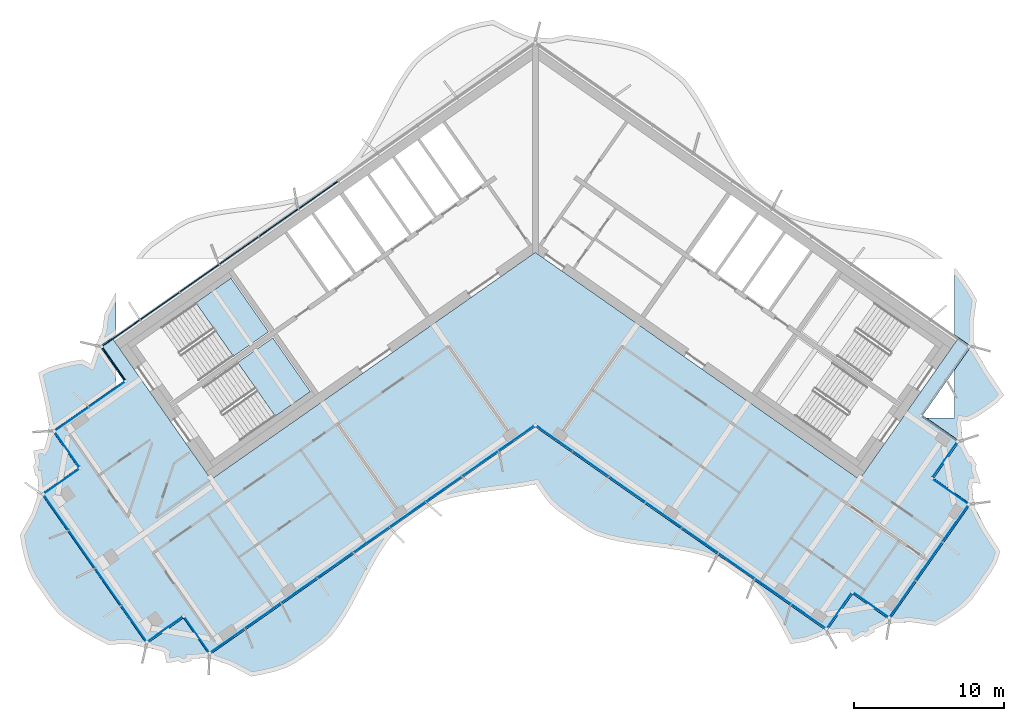
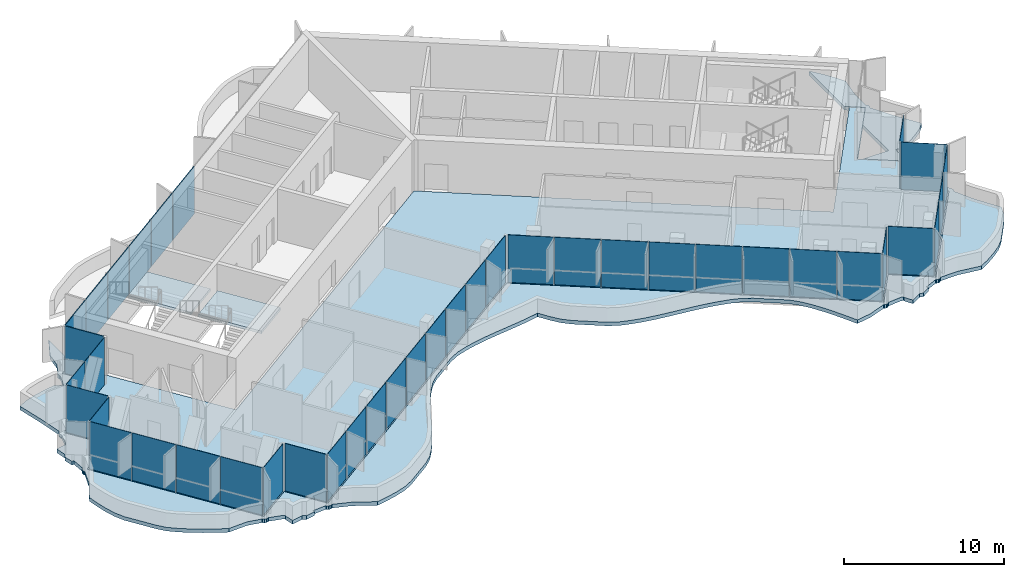
# One storey, part 7 of 17: 41 plates, 4 slabs, 4 elements without a shape of their own.
"""IFC4 building model written with IfcOpenShell, lengths in metres."""

from ifc_helpers import new_model, si_unit, direction, frame, origin, origin_2d, place, context, subcontext, project, spatial, polyline, rectangle, outline, extrude, material, layer, layer_set, type_object, element, aggregate, save


model = new_model("IFC4")

# Units and contexts
model_context = context("Model", 3, precision=1e-05, world=origin(), true_north=direction((0.0, 1.0)))
body_context = subcontext(model_context, "Body", "Model", "MODEL_VIEW")
ifc_project = project(units=[si_unit("LENGTHUNIT", "METRE"), si_unit("AREAUNIT", "SQUARE_METRE"), si_unit("VOLUMEUNIT", "CUBIC_METRE"), si_unit("PLANEANGLEUNIT", "RADIAN"), si_unit("MASSUNIT", "GRAM", prefix="KILO")], contexts=[model_context])

# Site, building, storey
site_placement = place(None, origin())
site = spatial("IfcSite", under=ifc_project, at=site_placement, CompositionType="ELEMENT")
building_placement = place(site_placement, origin())
building = spatial("IfcBuilding", under=site, at=building_placement, Name="Tel Ilan Convention Tower", CompositionType="ELEMENT")
storey_placement = place(building_placement, frame((0.0, 0.0, 291.699951171875)))
storey = spatial("IfcBuildingStorey", under=building, at=storey_placement, Name="L69", CompositionType="ELEMENT", Elevation=291.699951171875)

# Curtain wall, plates
ifc_material_1 = material(Name="Aluminium, bronze anodised", Category="aluminium")
curtain_wall_type_1 = type_object("IfcCurtainWallType", Name="CW2 STICK CURTAIN WALL, SPANDREL PANELS", PredefinedType="NOTDEFINED", material=ifc_material_1)
curtain_wall_1_placement = place(storey_placement, origin())
curtain_wall_1 = element("IfcCurtainWall", 1, at=curtain_wall_1_placement, inside=storey, type_object=curtain_wall_type_1, Name="Curtain wall CW2-52.01", PredefinedType="NOTDEFINED")
ifc_material_2 = material(Name="Aluminium composite panel, bronze anodised", Category="aluminium")
ifc_layer_1 = layer(ifc_material_2, 0.06005859375)
ifc_layer_set_1 = layer_set([ifc_layer_1], Name="CW SPANDREL PANEL 60")
plate_type_1 = type_object("IfcPlateType", Name="CW SPANDREL PANEL 60", PredefinedType="CURTAIN_PANEL", material=ifc_layer_set_1)
plate_1_placement = place(storey_placement, frame((-14.422119140625, 2.59765625, 0.0), z_axis=(0.0, 0.0, 1.0), x_axis=(-0.819152044289, -0.573576436351, 0.0)))
plate_1 = element("IfcPlate", 2, at=plate_1_placement, type_object=plate_type_1, Name="Spandrel panel", PredefinedType="CURTAIN_PANEL", context=body_context, shape_type="SweptSolid", body=[
    extrude(rectangle(XDim=3.15380859375, YDim=0.06005859375, at=origin_2d()), origin(), (0.0, 0.0, 1.0), 3.6201171875),
])
plate_2_placement = place(storey_placement, frame((-17.0546875, 0.754150390625, 0.0), z_axis=(0.0, 0.0, 1.0), x_axis=(-0.819152044289, -0.573576436351, 0.0)))
plate_2 = element("IfcPlate", 3, at=plate_2_placement, type_object=plate_type_1, Name="Spandrel panel", PredefinedType="CURTAIN_PANEL", context=body_context, shape_type="SweptSolid", body=[
    extrude(rectangle(XDim=3.15380859375, YDim=0.06005859375, at=origin_2d()), origin(), (0.0, 0.0, 1.0), 3.6201171875),
])
plate_3_placement = place(storey_placement, frame((-19.687255859375, -1.089111328125, 0.0), z_axis=(0.0, 0.0, 1.0), x_axis=(-0.819152044289, -0.573576436351, 0.0)))
plate_3 = element("IfcPlate", 4, at=plate_3_placement, type_object=plate_type_1, Name="Spandrel panel", PredefinedType="CURTAIN_PANEL", context=body_context, shape_type="SweptSolid", body=[
    extrude(rectangle(XDim=3.15380859375, YDim=0.06005859375, at=origin_2d()), origin(), (0.0, 0.0, 1.0), 3.6201171875),
])
plate_4_placement = place(storey_placement, frame((-22.31982421875, -2.9326171875, 0.0), z_axis=(0.0, 0.0, 1.0), x_axis=(-0.819152044289, -0.573576436351, 0.0)))
plate_4 = element("IfcPlate", 5, at=plate_4_placement, type_object=plate_type_1, Name="Spandrel panel", PredefinedType="CURTAIN_PANEL", context=body_context, shape_type="SweptSolid", body=[
    extrude(rectangle(XDim=3.15380859375, YDim=0.06005859375, at=origin_2d()), origin(), (0.0, 0.0, 1.0), 3.6201171875),
])
plate_5_placement = place(storey_placement, frame((-24.95263671875, -4.77587890625, 0.0), z_axis=(0.0, 0.0, 1.0), x_axis=(-0.819152044289, -0.573576436351, 0.0)))
plate_5 = element("IfcPlate", 6, at=plate_5_placement, type_object=plate_type_1, Name="Spandrel panel", PredefinedType="CURTAIN_PANEL", context=body_context, shape_type="SweptSolid", body=[
    extrude(rectangle(XDim=3.15380859375, YDim=0.06005859375, at=origin_2d()), origin(), (0.0, 0.0, 1.0), 3.6201171875),
])
plate_6_placement = place(storey_placement, frame((-27.5400390625, -6.587646484375, 0.0), z_axis=(0.0, 0.0, 1.0), x_axis=(-0.819152044289, -0.573576436351, 0.0)))
plate_6 = element("IfcPlate", 7, at=plate_6_placement, type_object=plate_type_1, Name="Spandrel panel", PredefinedType="CURTAIN_PANEL", context=body_context, shape_type="SweptSolid", body=[
    extrude(rectangle(XDim=3.0439453125, YDim=0.06005859375, at=origin_2d()), origin(), (0.0, 0.0, 1.0), 3.6201171875),
])
plate_7_placement = place(storey_placement, frame((-28.033935546875, -8.60546875, 0.0), z_axis=(0.0, 0.0, 1.0), x_axis=(0.573576436351, -0.819152044289, 0.0)))
plate_7 = element("IfcPlate", 8, at=plate_7_placement, type_object=plate_type_1, Name="Spandrel panel", PredefinedType="CURTAIN_PANEL", context=body_context, shape_type="SweptSolid", body=[
    extrude(rectangle(XDim=2.658935546875, YDim=0.06005859375, at=origin_2d()), origin(), (0.0, 0.0, 1.0), 3.6201171875),
])
aggregate(curtain_wall_1, [plate_1, plate_2, plate_3, plate_4, plate_5, plate_6, plate_7])

ifc_material_3 = material(Name="Aluminium, bronze anodised", Category="aluminium")
curtain_wall_type_2 = type_object("IfcCurtainWallType", Name="CW5 STICK CURTAIN WALL, UPPER OFFICE LOW-IRON TINTED GLASS", PredefinedType="NOTDEFINED", material=ifc_material_3)
curtain_wall_2_placement = place(storey_placement, origin())
curtain_wall_2 = element("IfcCurtainWall", 9, at=curtain_wall_2_placement, inside=storey, type_object=curtain_wall_type_2, Name="Curtain wall CW5-52.02", PredefinedType="NOTDEFINED")
ifc_material_4 = material(Name="Glass, low-iron bronze tinted, two-ply", Category="glass")
ifc_layer_2 = layer(ifc_material_4, 0.031982421875)
ifc_layer_set_2 = layer_set([ifc_layer_2], Name="CW UPPER GLASS PANEL 32")
plate_type_2 = type_object("IfcPlateType", Name="CW UPPER GLASS PANEL 32", PredefinedType="CURTAIN_PANEL", material=ifc_layer_set_2)
plate_8_placement = place(storey_placement, frame((-28.471435546875, -10.657958984375, 0.0), z_axis=(0.0, 0.0, 1.0), x_axis=(-0.819152044289, -0.573576436351, 0.0)))
plate_8 = element("IfcPlate", 10, at=plate_8_placement, type_object=plate_type_2, Name="Glass panel", PredefinedType="CURTAIN_PANEL", context=body_context, shape_type="SweptSolid", body=[
    extrude(rectangle(XDim=2.868896484375, YDim=0.028076171875, at=origin_2d()), origin(), (0.0, 0.0, 1.0), 3.6201171875),
])
plate_9_placement = place(storey_placement, frame((-30.8203125, -12.302734375, 0.0), z_axis=(0.0, 0.0, 1.0), x_axis=(-0.819152044289, -0.573576436351, 0.0)))
plate_9 = element("IfcPlate", 11, at=plate_9_placement, type_object=plate_type_2, Name="Glass panel", PredefinedType="CURTAIN_PANEL", context=body_context, shape_type="SweptSolid", body=[
    extrude(rectangle(XDim=2.74609375, YDim=0.028076171875, at=origin_2d()), origin(), (0.0, 0.0, 1.0), 3.6201171875),
])
plate_10_placement = place(storey_placement, frame((-31.126220703125, -14.30126953125, 0.0), z_axis=(0.0, 0.0, 1.0), x_axis=(0.573576436351, -0.819152044289, 0.0)))
plate_10 = element("IfcPlate", 12, at=plate_10_placement, type_object=plate_type_2, Name="Glass panel", PredefinedType="CURTAIN_PANEL", context=body_context, shape_type="SweptSolid", body=[
    extrude(rectangle(XDim=2.875, YDim=0.028076171875, at=origin_2d()), origin(), (0.0, 0.0, 1.0), 3.6201171875),
])
plate_11_placement = place(storey_placement, frame((-31.504150390625, -16.44384765625, 0.0), z_axis=(0.0, 0.0, 1.0), x_axis=(-0.819152044289, -0.573576436351, 0.0)))
plate_11 = element("IfcPlate", 13, at=plate_11_placement, type_object=plate_type_2, Name="Glass panel", PredefinedType="CURTAIN_PANEL", context=body_context, shape_type="SweptSolid", body=[
    extrude(rectangle(XDim=2.875, YDim=0.028076171875, at=origin_2d()), origin(), (0.0, 0.0, 1.0), 3.6201171875),
])
plate_12_placement = place(storey_placement, frame((-31.85693359375, -18.488037109375, 0.0), z_axis=(0.0, 0.0, 1.0), x_axis=(0.573576436351, -0.819152044289, 0.0)))
plate_12 = element("IfcPlate", 14, at=plate_12_placement, type_object=plate_type_2, Name="Glass panel", PredefinedType="CURTAIN_PANEL", context=body_context, shape_type="SweptSolid", body=[
    extrude(rectangle(XDim=2.89599609375, YDim=0.028076171875, at=origin_2d()), origin(), (0.0, 0.0, 1.0), 3.6201171875),
])
plate_13_placement = place(storey_placement, frame((-30.134521484375, -20.94775390625, 0.0), z_axis=(0.0, 0.0, 1.0), x_axis=(0.573576436351, -0.819152044289, 0.0)))
plate_13 = element("IfcPlate", 15, at=plate_13_placement, type_object=plate_type_2, Name="Glass panel", PredefinedType="CURTAIN_PANEL", context=body_context, shape_type="SweptSolid", body=[
    extrude(rectangle(XDim=2.989990234375, YDim=0.028076171875, at=origin_2d()), origin(), (0.0, 0.0, 1.0), 3.6201171875),
])
plate_14_placement = place(storey_placement, frame((-28.38525390625, -23.4462890625, 0.0), z_axis=(0.0, 0.0, 1.0), x_axis=(0.573576436351, -0.819152044289, 0.0)))
plate_14 = element("IfcPlate", 16, at=plate_14_placement, type_object=plate_type_2, Name="Glass panel", PredefinedType="CURTAIN_PANEL", context=body_context, shape_type="SweptSolid", body=[
    extrude(rectangle(XDim=2.989990234375, YDim=0.028076171875, at=origin_2d()), origin(), (0.0, 0.0, 1.0), 3.6201171875),
])
plate_15_placement = place(storey_placement, frame((-26.66259765625, -25.90625, 0.0), z_axis=(0.0, 0.0, 1.0), x_axis=(0.573576436351, -0.819152044289, 0.0)))
plate_15 = element("IfcPlate", 17, at=plate_15_placement, type_object=plate_type_2, Name="Glass panel", PredefinedType="CURTAIN_PANEL", context=body_context, shape_type="SweptSolid", body=[
    extrude(rectangle(XDim=2.89599609375, YDim=0.028076171875, at=origin_2d()), origin(), (0.0, 0.0, 1.0), 3.6201171875),
])
plate_16_placement = place(storey_placement, frame((-24.621337890625, -26.273681640625, 0.0), z_axis=(0.0, 0.0, 1.0), x_axis=(0.819152044289, 0.573576436351, 0.0)))
plate_16 = element("IfcPlate", 18, at=plate_16_placement, type_object=plate_type_2, Name="Glass panel", PredefinedType="CURTAIN_PANEL", context=body_context, shape_type="SweptSolid", body=[
    extrude(rectangle(XDim=2.875, YDim=0.028076171875, at=origin_2d()), origin(), (0.0, 0.0, 1.0), 3.6201171875),
])
plate_17_placement = place(storey_placement, frame((-22.478515625, -26.651611328125, 0.0), z_axis=(0.0, 0.0, 1.0), x_axis=(0.573576436351, -0.819152044289, 0.0)))
plate_17 = element("IfcPlate", 19, at=plate_17_placement, type_object=plate_type_2, Name="Glass panel", PredefinedType="CURTAIN_PANEL", context=body_context, shape_type="SweptSolid", body=[
    extrude(rectangle(XDim=2.875, YDim=0.028076171875, at=origin_2d()), origin(), (0.0, 0.0, 1.0), 3.6201171875),
])
plate_18_placement = place(storey_placement, frame((-20.47998046875, -27.036376953125, 0.0), z_axis=(0.0, 0.0, 1.0), x_axis=(0.819152044289, 0.573576436351, 0.0)))
plate_18 = element("IfcPlate", 20, at=plate_18_placement, type_object=plate_type_2, Name="Glass panel", PredefinedType="CURTAIN_PANEL", context=body_context, shape_type="SweptSolid", body=[
    extrude(rectangle(XDim=2.78466796875, YDim=0.028076171875, at=origin_2d()), origin(), (0.0, 0.0, 1.0), 3.6201171875),
])
plate_19_placement = place(storey_placement, frame((-18.111328125, -25.377685546875, 0.0), z_axis=(0.0, 0.0, 1.0), x_axis=(0.819152044289, 0.573576436351, 0.0)))
plate_19 = element("IfcPlate", 21, at=plate_19_placement, type_object=plate_type_2, Name="Glass panel", PredefinedType="CURTAIN_PANEL", context=body_context, shape_type="SweptSolid", body=[
    extrude(rectangle(XDim=2.878662109375, YDim=0.028076171875, at=origin_2d()), origin(), (0.0, 0.0, 1.0), 3.6201171875),
])
plate_20_placement = place(storey_placement, frame((-15.7041015625, -23.692138671875, 0.0), z_axis=(0.0, 0.0, 1.0), x_axis=(0.819152044289, 0.573576436351, 0.0)))
plate_20 = element("IfcPlate", 22, at=plate_20_placement, type_object=plate_type_2, Name="Glass panel", PredefinedType="CURTAIN_PANEL", context=body_context, shape_type="SweptSolid", body=[
    extrude(rectangle(XDim=2.878662109375, YDim=0.028076171875, at=origin_2d()), origin(), (0.0, 0.0, 1.0), 3.6201171875),
])
plate_21_placement = place(storey_placement, frame((-13.296875, -22.006591796875, 0.0), z_axis=(0.0, 0.0, 1.0), x_axis=(0.819152044289, 0.573576436351, 0.0)))
plate_21 = element("IfcPlate", 23, at=plate_21_placement, type_object=plate_type_2, Name="Glass panel", PredefinedType="CURTAIN_PANEL", context=body_context, shape_type="SweptSolid", body=[
    extrude(rectangle(XDim=2.878662109375, YDim=0.028076171875, at=origin_2d()), origin(), (0.0, 0.0, 1.0), 3.6201171875),
])
plate_22_placement = place(storey_placement, frame((-10.8896484375, -20.321044921875, 0.0), z_axis=(0.0, 0.0, 1.0), x_axis=(0.819152044289, 0.573576436351, 0.0)))
plate_22 = element("IfcPlate", 24, at=plate_22_placement, type_object=plate_type_2, Name="Glass panel", PredefinedType="CURTAIN_PANEL", context=body_context, shape_type="SweptSolid", body=[
    extrude(rectangle(XDim=2.878662109375, YDim=0.028076171875, at=origin_2d()), origin(), (0.0, 0.0, 1.0), 3.6201171875),
])
plate_23_placement = place(storey_placement, frame((-8.482666015625, -18.635498046875, 0.0), z_axis=(0.0, 0.0, 1.0), x_axis=(0.819152044289, 0.573576436351, 0.0)))
plate_23 = element("IfcPlate", 25, at=plate_23_placement, type_object=plate_type_2, Name="Glass panel", PredefinedType="CURTAIN_PANEL", context=body_context, shape_type="SweptSolid", body=[
    extrude(rectangle(XDim=2.878662109375, YDim=0.028076171875, at=origin_2d()), origin(), (0.0, 0.0, 1.0), 3.6201171875),
])
plate_24_placement = place(storey_placement, frame((-6.075439453125, -16.949951171875, 0.0), z_axis=(0.0, 0.0, 1.0), x_axis=(0.819152044289, 0.573576436351, 0.0)))
plate_24 = element("IfcPlate", 26, at=plate_24_placement, type_object=plate_type_2, Name="Glass panel", PredefinedType="CURTAIN_PANEL", context=body_context, shape_type="SweptSolid", body=[
    extrude(rectangle(XDim=2.878662109375, YDim=0.028076171875, at=origin_2d()), origin(), (0.0, 0.0, 1.0), 3.6201171875),
])
plate_25_placement = place(storey_placement, frame((-3.668212890625, -15.264404296875, 0.0), z_axis=(0.0, 0.0, 1.0), x_axis=(0.819152044289, 0.573576436351, 0.0)))
plate_25 = element("IfcPlate", 27, at=plate_25_placement, type_object=plate_type_2, Name="Glass panel", PredefinedType="CURTAIN_PANEL", context=body_context, shape_type="SweptSolid", body=[
    extrude(rectangle(XDim=2.878662109375, YDim=0.028076171875, at=origin_2d()), origin(), (0.0, 0.0, 1.0), 3.6201171875),
])
plate_26_placement = place(storey_placement, frame((-1.261474609375, -13.579345703125, 0.0), z_axis=(0.0, 0.0, 1.0), x_axis=(0.819152044289, 0.573576436351, 0.0)))
plate_26 = element("IfcPlate", 28, at=plate_26_placement, type_object=plate_type_2, Name="Glass panel", PredefinedType="CURTAIN_PANEL", context=body_context, shape_type="SweptSolid", body=[
    extrude(rectangle(XDim=2.877685546875, YDim=0.028076171875, at=origin_2d()), origin(), (0.0, 0.0, 1.0), 3.6201171875),
])
plate_27_placement = place(storey_placement, frame((1.280029296875, -13.59228515625, 0.0), z_axis=(0.0, 0.0, 1.0), x_axis=(0.819152044289, -0.573576436351, 0.0)))
plate_27 = element("IfcPlate", 29, at=plate_27_placement, type_object=plate_type_2, Name="Glass panel", PredefinedType="CURTAIN_PANEL", context=body_context, shape_type="SweptSolid", body=[
    extrude(rectangle(XDim=2.866943359375, YDim=0.028076171875, at=origin_2d()), origin(), (0.0, 0.0, 1.0), 3.6201171875),
])
plate_28_placement = place(storey_placement, frame((3.689453125, -15.279541015625, 0.0), z_axis=(0.0, 0.0, 1.0), x_axis=(0.819152044289, -0.573576436351, 0.0)))
plate_28 = element("IfcPlate", 30, at=plate_28_placement, type_object=plate_type_2, Name="Glass panel", PredefinedType="CURTAIN_PANEL", context=body_context, shape_type="SweptSolid", body=[
    extrude(rectangle(XDim=2.89599609375, YDim=0.028076171875, at=origin_2d()), origin(), (0.0, 0.0, 1.0), 3.6201171875),
])
plate_29_placement = place(storey_placement, frame((6.11083984375, -16.974853515625, 0.0), z_axis=(0.0, 0.0, 1.0), x_axis=(0.819152044289, -0.573576436351, 0.0)))
plate_29 = element("IfcPlate", 31, at=plate_29_placement, type_object=plate_type_2, Name="Glass panel", PredefinedType="CURTAIN_PANEL", context=body_context, shape_type="SweptSolid", body=[
    extrude(rectangle(XDim=2.89599609375, YDim=0.028076171875, at=origin_2d()), origin(), (0.0, 0.0, 1.0), 3.6201171875),
])
plate_30_placement = place(storey_placement, frame((8.5322265625, -18.67041015625, 0.0), z_axis=(0.0, 0.0, 1.0), x_axis=(0.819152044289, -0.573576436351, 0.0)))
plate_30 = element("IfcPlate", 32, at=plate_30_placement, type_object=plate_type_2, Name="Glass panel", PredefinedType="CURTAIN_PANEL", context=body_context, shape_type="SweptSolid", body=[
    extrude(rectangle(XDim=2.89599609375, YDim=0.028076171875, at=origin_2d()), origin(), (0.0, 0.0, 1.0), 3.6201171875),
])
plate_31_placement = place(storey_placement, frame((10.95361328125, -20.365966796875, 0.0), z_axis=(0.0, 0.0, 1.0), x_axis=(0.819152044289, -0.573576436351, 0.0)))
plate_31 = element("IfcPlate", 33, at=plate_31_placement, type_object=plate_type_2, Name="Glass panel", PredefinedType="CURTAIN_PANEL", context=body_context, shape_type="SweptSolid", body=[
    extrude(rectangle(XDim=2.89599609375, YDim=0.028076171875, at=origin_2d()), origin(), (0.0, 0.0, 1.0), 3.6201171875),
])
plate_32_placement = place(storey_placement, frame((13.375, -22.061279296875, 0.0), z_axis=(0.0, 0.0, 1.0), x_axis=(0.819152044289, -0.573576436351, 0.0)))
plate_32 = element("IfcPlate", 34, at=plate_32_placement, type_object=plate_type_2, Name="Glass panel", PredefinedType="CURTAIN_PANEL", context=body_context, shape_type="SweptSolid", body=[
    extrude(rectangle(XDim=2.89599609375, YDim=0.028076171875, at=origin_2d()), origin(), (0.0, 0.0, 1.0), 3.6201171875),
])
plate_33_placement = place(storey_placement, frame((15.79638671875, -23.7568359375, 0.0), z_axis=(0.0, 0.0, 1.0), x_axis=(0.819152044289, -0.573576436351, 0.0)))
plate_33 = element("IfcPlate", 35, at=plate_33_placement, type_object=plate_type_2, Name="Glass panel", PredefinedType="CURTAIN_PANEL", context=body_context, shape_type="SweptSolid", body=[
    extrude(rectangle(XDim=2.89599609375, YDim=0.028076171875, at=origin_2d()), origin(), (0.0, 0.0, 1.0), 3.6201171875),
])
plate_34_placement = place(storey_placement, frame((18.17919921875, -25.42529296875, 0.0), z_axis=(0.0, 0.0, 1.0), x_axis=(0.819152044289, -0.573576436351, 0.0)))
plate_34 = element("IfcPlate", 36, at=plate_34_placement, type_object=plate_type_2, Name="Glass panel", PredefinedType="CURTAIN_PANEL", context=body_context, shape_type="SweptSolid", body=[
    extrude(rectangle(XDim=2.802001953125, YDim=0.028076171875, at=origin_2d()), origin(), (0.0, 0.0, 1.0), 3.6201171875),
])
plate_35_placement = place(storey_placement, frame((20.184814453125, -25.04541015625, 0.0), z_axis=(0.0, 0.0, 1.0), x_axis=(0.573576436351, 0.819152044289, 0.0)))
plate_35 = element("IfcPlate", 37, at=plate_35_placement, type_object=plate_type_2, Name="Glass panel", PredefinedType="CURTAIN_PANEL", context=body_context, shape_type="SweptSolid", body=[
    extrude(rectangle(XDim=2.875, YDim=0.028076171875, at=origin_2d()), origin(), (0.0, 0.0, 1.0), 3.6201171875),
])
plate_36_placement = place(storey_placement, frame((22.32763671875, -24.667724609375, 0.0), z_axis=(0.0, 0.0, 1.0), x_axis=(0.819152044289, -0.573576436351, 0.0)))
plate_36 = element("IfcPlate", 38, at=plate_36_placement, type_object=plate_type_2, Name="Glass panel", PredefinedType="CURTAIN_PANEL", context=body_context, shape_type="SweptSolid", body=[
    extrude(rectangle(XDim=2.875, YDim=0.028076171875, at=origin_2d()), origin(), (0.0, 0.0, 1.0), 3.6201171875),
])
plate_37_placement = place(storey_placement, frame((24.39306640625, -24.26611328125, 0.0), z_axis=(0.0, 0.0, 1.0), x_axis=(0.573576436351, 0.819152044289, 0.0)))
plate_37 = element("IfcPlate", 39, at=plate_37_placement, type_object=plate_type_2, Name="Glass panel", PredefinedType="CURTAIN_PANEL", context=body_context, shape_type="SweptSolid", body=[
    extrude(rectangle(XDim=2.979248046875, YDim=0.028076171875, at=origin_2d()), origin(), (0.0, 0.0, 1.0), 3.6201171875),
])
plate_38_placement = place(storey_placement, frame((26.163330078125, -21.73779296875, 0.0), z_axis=(0.0, 0.0, 1.0), x_axis=(0.573576436351, 0.819152044289, 0.0)))
plate_38 = element("IfcPlate", 40, at=plate_38_placement, type_object=plate_type_2, Name="Glass panel", PredefinedType="CURTAIN_PANEL", context=body_context, shape_type="SweptSolid", body=[
    extrude(rectangle(XDim=3.0732421875, YDim=0.028076171875, at=origin_2d()), origin(), (0.0, 0.0, 1.0), 3.6201171875),
])
plate_39_placement = place(storey_placement, frame((27.93359375, -19.209716796875, 0.0), z_axis=(0.0, 0.0, 1.0), x_axis=(0.573576436351, 0.819152044289, 0.0)))
plate_39 = element("IfcPlate", 41, at=plate_39_placement, type_object=plate_type_2, Name="Glass panel", PredefinedType="CURTAIN_PANEL", context=body_context, shape_type="SweptSolid", body=[
    extrude(rectangle(XDim=2.979248046875, YDim=0.028076171875, at=origin_2d()), origin(), (0.0, 0.0, 1.0), 3.6201171875),
])
plate_40_placement = place(storey_placement, frame((27.6044921875, -17.131591796875, 0.0), z_axis=(0.0, 0.0, 1.0), x_axis=(-0.819152044289, 0.573576436351, 0.0)))
plate_40 = element("IfcPlate", 42, at=plate_40_placement, type_object=plate_type_2, Name="Glass panel", PredefinedType="CURTAIN_PANEL", context=body_context, shape_type="SweptSolid", body=[
    extrude(rectangle(XDim=2.875, YDim=0.028076171875, at=origin_2d()), origin(), (0.0, 0.0, 1.0), 3.6201171875),
])
plate_41_placement = place(storey_placement, frame((27.2265625, -14.98876953125, 0.0), z_axis=(0.0, 0.0, 1.0), x_axis=(0.573576436351, 0.819152044289, 0.0)))
plate_41 = element("IfcPlate", 43, at=plate_41_placement, type_object=plate_type_2, Name="Glass panel", PredefinedType="CURTAIN_PANEL", context=body_context, shape_type="SweptSolid", body=[
    extrude(rectangle(XDim=2.875, YDim=0.028076171875, at=origin_2d()), origin(), (0.0, 0.0, 1.0), 3.6201171875),
])
aggregate(curtain_wall_2, [plate_8, plate_9, plate_10, plate_11, plate_12, plate_13, plate_14, plate_15, plate_16, plate_17, plate_18, plate_19, plate_20, plate_21, plate_22, plate_23, plate_24, plate_25, plate_26, plate_27, plate_28, plate_29, plate_30, plate_31, plate_32, plate_33, plate_34, plate_35, plate_36, plate_37, plate_38, plate_39, plate_40, plate_41])

# Stair, slab
ifc_material_5 = material(Name="Concrete C40/50", Category="concrete")
stair_type = type_object("IfcStairType", Name="Pressurised Exit Stair 22 risers 177 mm", PredefinedType="HALF_TURN_STAIR", material=ifc_material_5)
stair_1_placement = place(storey_placement, origin())
stair_1 = element("IfcStair", 44, at=stair_1_placement, inside=storey, type_object=stair_type, Name="L69 Pressurised Stair S1", PredefinedType="HALF_TURN_STAIR")
ifc_material_6 = material(Name="Concrete C40/50", Category="concrete")
ifc_layer_3 = layer(ifc_material_6, 0.199951171875)
ifc_layer_set_3 = layer_set([ifc_layer_3], Name="Concrete Stair Landing 200 mm C40/50")
slab_type_1 = type_object("IfcSlabType", Name="Concrete Stair Landing 200 mm", PredefinedType="LANDING", material=ifc_layer_set_3)
slab_1_placement = place(storey_placement, frame((0.0, 0.0, 1.75)))
slab_1 = element("IfcSlab", 45, at=slab_1_placement, type_object=slab_type_1, Name="S1 landing 1", PredefinedType="LANDING", context=body_context, shape_type="SweptSolid", body=[
    extrude(outline(polyline([(-20.066650390625, -8.130126953125), (-17.7314453125, -6.494873046875), (-20.226318359375, -2.931640625), (-22.561767578125, -4.566650390625), (-20.066650390625, -8.130126953125)])), origin(), (0.0, 0.0, 1.0), 0.199951171875),
])
aggregate(stair_1, [slab_1])

stair_2_placement = place(storey_placement, origin())
stair_2 = element("IfcStair", 46, at=stair_2_placement, inside=storey, type_object=stair_type, Name="L69 Pressurised Stair S2", PredefinedType="HALF_TURN_STAIR")
slab_2_placement = place(storey_placement, frame((0.0, 0.0, 1.75)))
slab_2 = element("IfcSlab", 47, at=slab_2_placement, type_object=slab_type_1, Name="S2 landing 1", PredefinedType="LANDING", context=body_context, shape_type="SweptSolid", body=[
    extrude(outline(polyline([(-17.28466796875, -12.10302734375), (-14.949462890625, -10.4677734375), (-17.444580078125, -6.904541015625), (-19.77978515625, -8.53955078125), (-17.28466796875, -12.10302734375)])), origin(), (0.0, 0.0, 1.0), 0.199951171875),
])
aggregate(stair_2, [slab_2])

# Slabs
ifc_material_7 = material(Name="Concrete C40/50", Category="concrete")
ifc_layer_4 = layer(ifc_material_7, 0.280029296875)
ifc_layer_set_4 = layer_set([ifc_layer_4], Name="Edge Ledge Slab 280 mm C40/50")
slab_type_2 = type_object("IfcSlabType", Name="Edge Ledge Slab 280 mm C40/50", PredefinedType="FLOOR", material=ifc_layer_set_4)
slab_3_placement = place(storey_placement, frame((0.0, 0.0, -0.280029296875)))
element("IfcSlab", 48, at=slab_3_placement, inside=storey, type_object=slab_type_2, Name="L69 edge ledge 1", PredefinedType="FLOOR", context=body_context, shape_type="SweptSolid", body=[
    extrude(outline(polyline([(-23.49462890625, -28.5126953125), (-23.728759765625, -28.3701171875), (-24.51416015625, -28.518310546875), (-24.64697265625, -27.87890625), (-24.61669921875, -27.8291015625), (-24.7724609375, -27.73388671875), (-25.6708984375, -27.4970703125), (-25.67431640625, -27.4921875), (-25.728271484375, -27.5283203125), (-25.843017578125, -27.55126953125), (-25.957763671875, -27.5283203125), (-26.05517578125, -27.46337890625), (-26.083984375, -27.420166015625), (-26.088623046875, -27.42333984375), (-27.05419921875, -27.223388671875), (-28.398193359375, -27.288330078125), (-29.12353515625, -26.920166015625), (-29.82373046875, -26.5341796875), (-30.49462890625, -26.1279296875), (-31.125732421875, -25.69384765625), (-31.707763671875, -25.22509765625), (-32.166748046875, -24.670654296875), (-33.401611328125, -22.906982421875), (-33.7158203125, -22.2509765625), (-33.940185546875, -21.531982421875), (-34.1181640625, -20.780517578125), (-34.248779296875, -19.995849609375), (-33.47021484375, -18.574462890625), (-33.08642578125, -17.4296875), (-33.081787109375, -17.426513671875), (-33.117919921875, -17.372314453125), (-33.140625, -17.257568359375), (-33.117919921875, -17.142822265625), (-33.052734375, -17.04541015625), (-33.009521484375, -17.0166015625), (-33.0126953125, -17.011962890625), (-33.085693359375, -16.03955078125), (-33.232666015625, -16.067138671875), (-33.365478515625, -15.427490234375), (-33.22265625, -15.193603515625), (-33.370849609375, -14.408203125), (-32.7314453125, -14.275390625), (-32.681640625, -14.3056640625), (-32.586669921875, -14.14990234375), (-32.349609375, -13.25146484375), (-32.344970703125, -13.248291015625), (-32.381103515625, -13.194091796875), (-32.40380859375, -13.079345703125), (-32.381103515625, -12.964599609375), (-32.31591796875, -12.8671875), (-32.272705078125, -12.83837890625), (-32.27587890625, -12.833740234375), (-32.6083984375, -11.094970703125), (-33.031982421875, -9.225830078125), (-32.382080078125, -8.890380859375), (-31.6572265625, -8.661376953125), (-30.899169921875, -8.47998046875), (-30.110107421875, -8.3427734375), (-29.537353515625, -8.652587890625), (-29.20458984375, -7.631103515625), (-29.199951171875, -7.6279296875), (-29.236083984375, -7.57373046875), (-29.2587890625, -7.458984375), (-29.236083984375, -7.34423828125), (-29.1708984375, -7.246826171875), (-29.127685546875, -7.218017578125), (-29.130859375, -7.21337890625), (-28.772216796875, -6.441650390625), (-28.635009765625, -5.353515625), (-28.252685546875, -4.614990234375), (-27.875, -3.881103515625), (-27.875, -6.7001953125), (-28.958740234375, -7.458984375), (-27.875, -9.007080078125), (-27.875, -10.1181640625), (-32.10400390625, -13.079345703125), (-30.383056640625, -15.536865234375), (-32.840576171875, -17.257568359375), (-25.843017578125, -27.251220703125), (-23.385498046875, -25.530517578125), (-21.664794921875, -27.988037109375), (0.0, -12.818115234375), (19.37109375, -26.382080078125), (21.091796875, -23.924560546875), (23.54931640625, -25.645263671875), (28.94091796875, -17.9453125), (26.4833984375, -16.224609375), (28.2041015625, -13.76708984375), (26.023681640625, -12.239990234375), (27.875, -12.239990234375), (27.875, -9.007080078125), (28.958740234375, -7.458984375), (27.875, -6.7001953125), (27.875, -2.269287109375), (28.0107421875, -2.392578125), (28.48388671875, -3.001220703125), (28.922119140625, -3.6591796875), (29.331298828125, -4.35888671875), (29.109619140625, -5.95947265625), (29.130859375, -7.21337890625), (29.127685546875, -7.218017578125), (29.1708984375, -7.246826171875), (29.236083984375, -7.34423828125), (29.2587890625, -7.458984375), (29.236083984375, -7.57373046875), (29.199951171875, -7.6279296875), (29.20458984375, -7.631103515625), (30.056640625, -9.082275390625), (31.151123046875, -10.703125), (30.66748046875, -11.218994140625), (30.077880859375, -11.660888671875), (29.445068359375, -12.072265625), (28.752685546875, -12.44189453125), (28.33642578125, -12.373291015625), (28.291748046875, -12.595947265625), (28.376220703125, -13.521240234375), (28.373046875, -13.52587890625), (28.41650390625, -13.554931640625), (28.4814453125, -13.652099609375), (28.504150390625, -13.76708984375), (28.4814453125, -13.8818359375), (28.4453125, -13.935791015625), (28.449951171875, -13.939208984375), (28.889404296875, -14.805419921875), (28.979736328125, -14.751708984375), (29.3232421875, -15.30712890625), (29.26171875, -15.613037109375), (29.61181640625, -16.583740234375), (29.080078125, -16.5166015625), (29.028564453125, -16.774169921875), (29.113037109375, -17.699462890625), (29.10986328125, -17.7041015625), (29.153076171875, -17.733154296875), (29.218017578125, -17.830322265625), (29.240966796875, -17.9453125), (29.218017578125, -18.06005859375), (29.181884765625, -18.114013671875), (29.186767578125, -18.1171875), (29.872314453125, -19.47998046875), (30.8984375, -21.081298828125), (30.669189453125, -21.803466796875), (30.31298828125, -22.436767578125), (29.068603515625, -24.213623046875), (28.5625, -24.741943359375), (27.960693359375, -25.203369140625), (27.311767578125, -25.631591796875), (26.617919921875, -26.0283203125), (25.015625, -25.789306640625), (23.795166015625, -25.8173828125), (23.790283203125, -25.81396484375), (23.761474609375, -25.857421875), (23.664306640625, -25.92236328125), (23.54931640625, -25.9453125), (23.4345703125, -25.92236328125), (23.380615234375, -25.88623046875), (23.377197265625, -25.89111328125), (22.488525390625, -26.292236328125), (22.564697265625, -26.4208984375), (22.00927734375, -26.76416015625), (21.740478515625, -26.710205078125), (21.052978515625, -27.1181640625), (20.709716796875, -26.5625), (20.72119140625, -26.50537109375), (20.542236328125, -26.469482421875), (19.616943359375, -26.553955078125), (19.6123046875, -26.55078125), (19.583251953125, -26.593994140625), (19.486083984375, -26.6591796875), (19.37109375, -26.681884765625), (19.25634765625, -26.6591796875), (19.202392578125, -26.623046875), (19.19921875, -26.627685546875), (17.98388671875, -27.074951171875), (16.96240234375, -27.2451171875), (16.57958984375, -26.50341796875), (16.18994140625, -25.771728515625), (15.782958984375, -25.064453125), (15.349853515625, -24.39453125), (14.88330078125, -23.7724609375), (14.356201171875, -23.23681640625), (12.540283203125, -21.965087890625), (11.8955078125, -21.59765625), (11.16455078125, -21.353271484375), (10.3974609375, -21.159912109375), (9.601806640625, -21.008056640625), (8.785888671875, -20.885009765625), (7.958740234375, -20.777587890625), (7.130615234375, -20.672119140625), (6.311279296875, -20.553955078125), (5.510009765625, -20.40966796875), (4.73583984375, -20.22705078125), (3.99609375, -19.9951171875), (3.325927734375, -19.663818359375), (1.510009765625, -18.39208984375), (0.956298828125, -17.894287109375), (0.481201171875, -17.28466796875), (0.041015625, -16.624755859375), (0.03369140625, -16.6123046875), (-0.023681640625, -16.626708984375), (-0.816650390625, -16.775146484375), (-1.62890625, -16.895751953125), (-2.45166015625, -17.001953125), (-3.274658203125, -17.107421875), (-4.08837890625, -17.225830078125), (-4.8837890625, -17.370849609375), (-5.65234375, -17.55419921875), (-6.386474609375, -17.78662109375), (-7.049560546875, -18.12060546875), (-8.85498046875, -19.384521484375), (-9.404541015625, -19.880615234375), (-9.877197265625, -20.486572265625), (-10.314697265625, -21.142333984375), (-10.724853515625, -21.83740234375), (-11.11572265625, -22.56005859375), (-11.49658203125, -23.296875), (-11.877197265625, -24.0341796875), (-12.267333984375, -24.7578125), (-12.67626953125, -25.454833984375), (-13.1123046875, -26.113037109375), (-13.582763671875, -26.721923828125), (-14.12646484375, -27.226318359375), (-15.931884765625, -28.490478515625), (-16.588623046875, -28.833251953125), (-17.32080078125, -29.068603515625), (-18.08740234375, -29.25439453125), (-18.88330078125, -29.3984375), (-20.311279296875, -28.64013671875), (-21.49267578125, -28.233642578125), (-21.49609375, -28.22900390625), (-21.550048828125, -28.26513671875), (-21.664794921875, -28.2880859375), (-21.779541015625, -28.26513671875), (-21.876953125, -28.2001953125), (-21.906005859375, -28.15673828125), (-21.910400390625, -28.16015625), (-22.8828125, -28.233154296875), (-22.855224609375, -28.3798828125), (-23.49462890625, -28.5126953125)])), origin(), (0.0, 0.0, 1.0), 0.280029296875),
])
ifc_material_8 = material(Name="Concrete C40/50", Category="concrete")
ifc_layer_5 = layer(ifc_material_8, 0.280029296875)
ifc_layer_set_5 = layer_set([ifc_layer_5], Name="Flat Plate Floor Slab 280 mm C40/50")
slab_type_3 = type_object("IfcSlabType", Name="Flat Plate Floor Slab 280 mm C40/50", PredefinedType="FLOOR", material=ifc_layer_set_5)
slab_4_placement = place(storey_placement, frame((0.0, 0.0, -0.280029296875)))
element("IfcSlab", 49, at=slab_4_placement, inside=storey, type_object=slab_type_3, Name="L69 floor slab", PredefinedType="FLOOR", context=body_context, shape_type="SweptSolid", body=[
    extrude(outline(polyline([(-21.54345703125, -16.3056640625), (0.0, -1.220703125), (21.54345703125, -16.3056640625), (28.1396484375, -6.885498046875), (28.958740234375, -7.458984375), (25.746826171875, -12.04638671875), (28.2041015625, -13.76708984375), (26.4833984375, -16.224609375), (28.94091796875, -17.9453125), (23.54931640625, -25.645263671875), (21.091796875, -23.924560546875), (19.37109375, -26.382080078125), (0.0, -12.818115234375), (-21.664794921875, -27.988037109375), (-23.385498046875, -25.530517578125), (-25.843017578125, -27.251220703125), (-32.840576171875, -17.257568359375), (-30.383056640625, -15.536865234375), (-32.10400390625, -13.079345703125), (-27.352783203125, -9.752685546875), (-28.958740234375, -7.458984375), (-28.1396484375, -6.885498046875), (-21.54345703125, -16.3056640625)])), origin(), (0.0, 0.0, 1.0), 0.280029296875),
])

save(model, "model.ifc")
